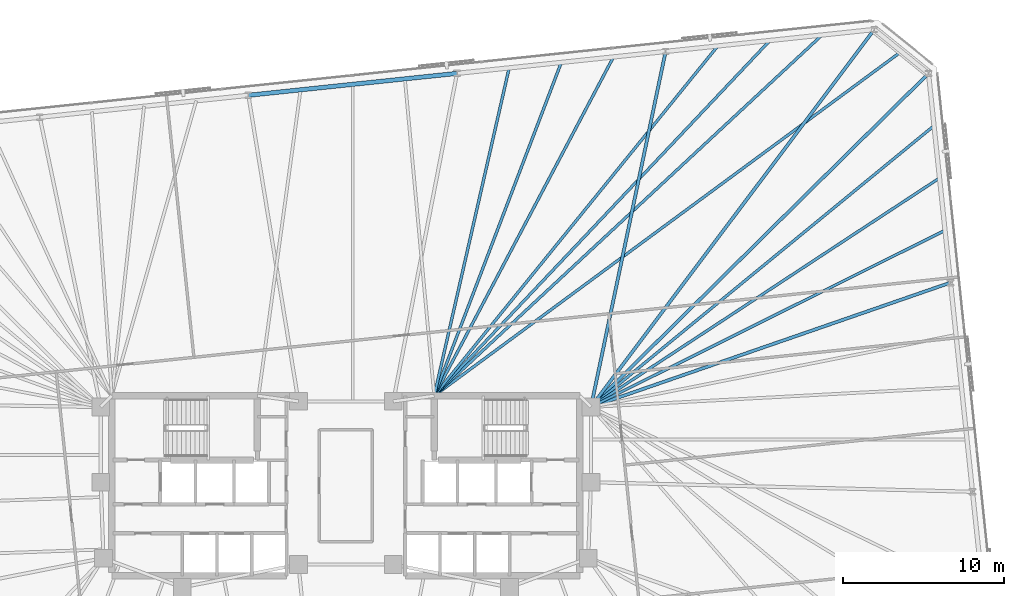
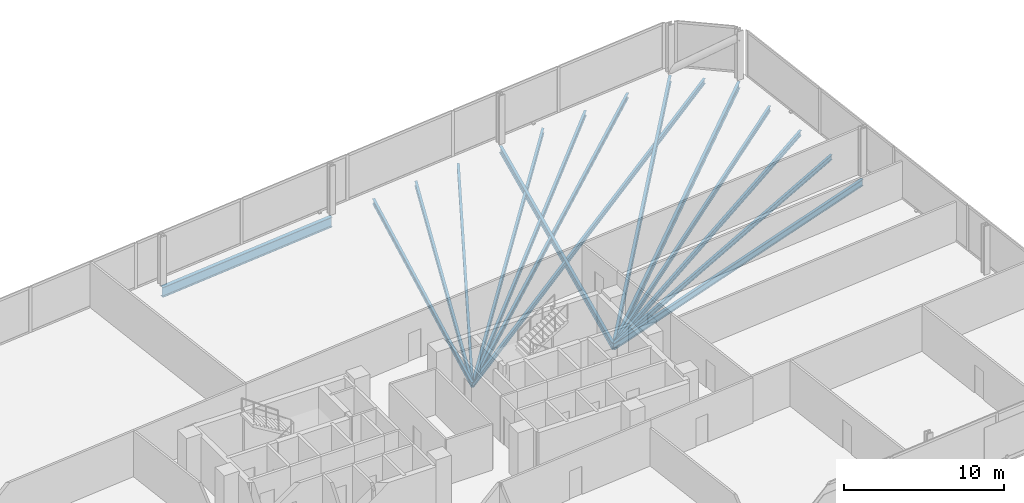
# One storey, part 10 of 18: 15 beams.
"""IFC4 building model written with IfcOpenShell, lengths in metres."""

from ifc_helpers import new_model, si_unit, direction, frame, origin, origin_2d, place, context, subcontext, project, spatial, i_section, extrude, material, material_profile, profile_set, type_object, element, save


model = new_model("IFC4")

# Units and contexts
model_context = context("Model", 3, precision=1e-05, world=origin(), true_north=direction((0.0, 1.0)))
body_context = subcontext(model_context, "Body", "Model", "MODEL_VIEW")
ifc_project = project(units=[si_unit("LENGTHUNIT", "METRE"), si_unit("AREAUNIT", "SQUARE_METRE"), si_unit("VOLUMEUNIT", "CUBIC_METRE"), si_unit("PLANEANGLEUNIT", "RADIAN"), si_unit("MASSUNIT", "GRAM", prefix="KILO")], contexts=[model_context])

# Site, building, storey
site_placement = place(None, origin())
site = spatial("IfcSite", under=ifc_project, at=site_placement, CompositionType="ELEMENT")
building_placement = place(site_placement, origin())
building = spatial("IfcBuilding", under=site, at=building_placement, Name="Menara Jurai Vektor", CompositionType="ELEMENT")
storey_placement = place(building_placement, frame((0.0, 0.0, 124.39990234375)))
storey = spatial("IfcBuildingStorey", under=building, at=storey_placement, Name="L31", CompositionType="ELEMENT", Elevation=124.39990234375)

# Beams
ifc_material_1 = material(Name="Steel S355", Category="steel")
ifc_material_profile_1 = material_profile(ifc_material_1, i_section(OverallWidth=0.199951171875, OverallDepth=0.5, WebThickness=0.011962890625, FlangeThickness=0.02001953125, at=origin_2d()), Name="PG 500x200x96")
ifc_profile_set_1 = profile_set([ifc_material_profile_1], Name="Steel S355")
beam_type_1 = type_object("IfcBeamType", Name="STR-BM-500", PredefinedType="BEAM", material=ifc_profile_set_1)
beam_1_placement = place(storey_placement, frame((37.62060546875, 12.638427734375, -0.474853515625), z_axis=(-0.945053249867, -0.326916434148, 0.0), x_axis=(0.326916434148, -0.945053249867, 0.0)))
element("IfcBeam", 1, at=beam_1_placement, inside=storey, type_object=beam_type_1, Name="Radial Floor Girder L31-E3", PredefinedType="BEAM", context=body_context, shape_type="SweptSolid", body=[
    extrude(i_section(OverallWidth=0.199951171875, OverallDepth=0.5, WebThickness=0.011962890625, FlangeThickness=0.02001953125, at=origin_2d()), origin(), (0.0, 0.0, 1.0), 23.671142578125),
])
beam_2_placement = place(storey_placement, frame((36.252685546875, 25.652099609375, -0.474853515625), z_axis=(-0.711335927547, -0.702852188004, 0.0), x_axis=(0.702852188004, -0.711335927547, 0.0)))
element("IfcBeam", 2, at=beam_2_placement, inside=storey, type_object=beam_type_1, Name="Radial Floor Girder L31-E4", PredefinedType="BEAM", context=body_context, shape_type="SweptSolid", body=[
    extrude(i_section(OverallWidth=0.199951171875, OverallDepth=0.5, WebThickness=0.011962890625, FlangeThickness=0.02001953125, at=origin_2d()), origin(), (0.0, 0.0, 1.0), 29.525634765625),
])
beam_3_placement = place(storey_placement, frame((32.876220703125, 28.38623046875, -0.474853515625), z_axis=(-0.600250057552, -0.799812395758, 0.0), x_axis=(0.799812395758, -0.600250057552, 0.0)))
element("IfcBeam", 3, at=beam_3_placement, inside=storey, type_object=beam_type_1, Name="Radial Floor Girder L31-N1", PredefinedType="BEAM", context=body_context, shape_type="SweptSolid", body=[
    extrude(i_section(OverallWidth=0.199951171875, OverallDepth=0.5, WebThickness=0.011962890625, FlangeThickness=0.02001953125, at=origin_2d()), origin(), (0.0, 0.0, 1.0), 29.36474609375),
])
beam_4_placement = place(storey_placement, frame((19.896728515625, 27.02197265625, -0.474853515625), z_axis=(-0.205563576063, -0.978643763683, 0.0), x_axis=(0.978643763683, -0.205563576063, 0.0)))
element("IfcBeam", 4, at=beam_4_placement, inside=storey, type_object=beam_type_1, Name="Radial Floor Girder L31-N2", PredefinedType="BEAM", context=body_context, shape_type="SweptSolid", body=[
    extrude(i_section(OverallWidth=0.199951171875, OverallDepth=0.5, WebThickness=0.011962890625, FlangeThickness=0.02001953125, at=origin_2d()), origin(), (0.0, 0.0, 1.0), 22.604736328125),
])
ifc_material_profile_2 = material_profile(ifc_material_1, i_section(OverallWidth=0.175048828125, OverallDepth=0.3798828125, WebThickness=0.010009765625, FlangeThickness=0.014892578125, at=origin_2d()), Name="PG 380x175x58")
ifc_profile_set_2 = profile_set([ifc_material_profile_2], Name="Steel S355")
beam_type_2 = type_object("IfcBeamType", Name="STR-JS-380", PredefinedType="JOIST", material=ifc_profile_set_2)
beam_5_placement = place(storey_placement, frame((37.278564453125, 15.891845703125, -0.414794921875), z_axis=(-0.894789854106, -0.446487532849, 0.0), x_axis=(0.446487532849, -0.894789854106, 0.0)))
element("IfcBeam", 5, at=beam_5_placement, inside=storey, type_object=beam_type_2, Name="Radial Secondary Floor Joist L31-JS16", PredefinedType="JOIST", context=body_context, shape_type="SweptSolid", body=[
    extrude(i_section(OverallWidth=0.175048828125, OverallDepth=0.3798828125, WebThickness=0.010009765625, FlangeThickness=0.014892578125, at=origin_2d()), origin(), (0.0, 0.0, 1.0), 24.61865234375),
])
beam_6_placement = place(storey_placement, frame((36.936767578125, 19.145263671875, -0.414794921875), z_axis=(-0.835810585743, -0.549017909326, 0.0), x_axis=(0.549017909326, -0.835810585743, 0.0)))
element("IfcBeam", 6, at=beam_6_placement, inside=storey, type_object=beam_type_2, Name="Radial Secondary Floor Joist L31-JS17", PredefinedType="JOIST", context=body_context, shape_type="SweptSolid", body=[
    extrude(i_section(OverallWidth=0.175048828125, OverallDepth=0.3798828125, WebThickness=0.010009765625, FlangeThickness=0.014892578125, at=origin_2d()), origin(), (0.0, 0.0, 1.0), 25.947021484375),
])
beam_7_placement = place(storey_placement, frame((36.5947265625, 22.398681640625, -0.414794921875), z_axis=(-0.773337004811, -0.63399517111, 0.0), x_axis=(0.63399517111, -0.773337004811, 0.0)))
element("IfcBeam", 7, at=beam_7_placement, inside=storey, type_object=beam_type_2, Name="Radial Secondary Floor Joist L31-JS18", PredefinedType="JOIST", context=body_context, shape_type="SweptSolid", body=[
    extrude(i_section(OverallWidth=0.175048828125, OverallDepth=0.3798828125, WebThickness=0.010009765625, FlangeThickness=0.014892578125, at=origin_2d()), origin(), (0.0, 0.0, 1.0), 27.600830078125),
])
beam_8_placement = place(storey_placement, frame((34.564453125, 27.01904296875, -0.414794921875), z_axis=(-0.805015724179, -0.593253473504, 0.0), x_axis=(0.593253473504, -0.805015724179, 0.0)))
element("IfcBeam", 8, at=beam_8_placement, inside=storey, type_object=beam_type_2, Name="Radial Secondary Floor Joist L31-JS19", PredefinedType="JOIST", context=body_context, shape_type="SweptSolid", body=[
    extrude(i_section(OverallWidth=0.175048828125, OverallDepth=0.3798828125, WebThickness=0.010009765625, FlangeThickness=0.014892578125, at=origin_2d()), origin(), (0.0, 0.0, 1.0), 36.104248046875),
])
beam_9_placement = place(storey_placement, frame((29.63134765625, 28.045166015625, -0.414794921875), z_axis=(-0.732227546694, -0.681060070671, 0.0), x_axis=(0.681060070671, -0.732227546694, 0.0)))
element("IfcBeam", 9, at=beam_9_placement, inside=storey, type_object=beam_type_2, Name="Radial Secondary Floor Joist L31-JS20", PredefinedType="JOIST", context=body_context, shape_type="SweptSolid", body=[
    extrude(i_section(OverallWidth=0.175048828125, OverallDepth=0.3798828125, WebThickness=0.010009765625, FlangeThickness=0.014892578125, at=origin_2d()), origin(), (0.0, 0.0, 1.0), 32.9560546875),
])
beam_10_placement = place(storey_placement, frame((26.386474609375, 27.7041015625, -0.414794921875), z_axis=(-0.686805497462, -0.726841254096, 0.0), x_axis=(0.726841254096, -0.686805497462, 0.0)))
element("IfcBeam", 10, at=beam_10_placement, inside=storey, type_object=beam_type_2, Name="Radial Secondary Floor Joist L31-JS21", PredefinedType="JOIST", context=body_context, shape_type="SweptSolid", body=[
    extrude(i_section(OverallWidth=0.175048828125, OverallDepth=0.3798828125, WebThickness=0.010009765625, FlangeThickness=0.014892578125, at=origin_2d()), origin(), (0.0, 0.0, 1.0), 30.4111328125),
])
beam_11_placement = place(storey_placement, frame((23.1416015625, 27.363037109375, -0.414794921875), z_axis=(-0.629715269624, -0.776826028917, 0.0), x_axis=(0.776826028917, -0.629715269624, 0.0)))
element("IfcBeam", 11, at=beam_11_placement, inside=storey, type_object=beam_type_2, Name="Radial Secondary Floor Joist L31-JS22", PredefinedType="JOIST", context=body_context, shape_type="SweptSolid", body=[
    extrude(i_section(OverallWidth=0.175048828125, OverallDepth=0.3798828125, WebThickness=0.010009765625, FlangeThickness=0.014892578125, at=origin_2d()), origin(), (0.0, 0.0, 1.0), 28.01513671875),
])
beam_12_placement = place(storey_placement, frame((16.651611328125, 26.680908203125, -0.414794921875), z_axis=(-0.467598899237, -0.883940761268, 0.0), x_axis=(0.883940761268, -0.467598899237, 0.0)))
element("IfcBeam", 12, at=beam_12_placement, inside=storey, type_object=beam_type_2, Name="Radial Secondary Floor Joist L31-JS23", PredefinedType="JOIST", context=body_context, shape_type="SweptSolid", body=[
    extrude(i_section(OverallWidth=0.175048828125, OverallDepth=0.3798828125, WebThickness=0.010009765625, FlangeThickness=0.014892578125, at=origin_2d()), origin(), (0.0, 0.0, 1.0), 23.8486328125),
])
beam_13_placement = place(storey_placement, frame((13.40673828125, 26.33984375, -0.414794921875), z_axis=(-0.3562267616, -0.934399536772, 0.0), x_axis=(0.934399536772, -0.3562267616, 0.0)))
element("IfcBeam", 13, at=beam_13_placement, inside=storey, type_object=beam_type_2, Name="Radial Secondary Floor Joist L31-JS24", PredefinedType="JOIST", context=body_context, shape_type="SweptSolid", body=[
    extrude(i_section(OverallWidth=0.175048828125, OverallDepth=0.3798828125, WebThickness=0.010009765625, FlangeThickness=0.014892578125, at=origin_2d()), origin(), (0.0, 0.0, 1.0), 22.19580078125),
])
beam_14_placement = place(storey_placement, frame((10.161865234375, 25.998779296875, -0.414794921875), z_axis=(-0.222793437271, -0.974865675008, 0.0), x_axis=(0.974865675008, -0.222793437271, 0.0)))
element("IfcBeam", 14, at=beam_14_placement, inside=storey, type_object=beam_type_2, Name="Radial Secondary Floor Joist L31-JS25", PredefinedType="JOIST", context=body_context, shape_type="SweptSolid", body=[
    extrude(i_section(OverallWidth=0.175048828125, OverallDepth=0.3798828125, WebThickness=0.010009765625, FlangeThickness=0.014892578125, at=origin_2d()), origin(), (0.0, 0.0, 1.0), 20.924560546875),
])
ifc_material_2 = material(Name="Steel S460", Category="steel")
ifc_material_profile_3 = material_profile(ifc_material_2, i_section(OverallWidth=0.26806640625, OverallDepth=0.77001953125, WebThickness=0.01611328125, FlangeThickness=0.02490234375, FilletRadius=0.01708984375, at=origin_2d()), Name="UKB 762x267x197")
ifc_profile_set_3 = profile_set([ifc_material_profile_3], Name="Steel S460")
beam_type_3 = type_object("IfcBeamType", Name="STR-SP-762", PredefinedType="SPANDREL", material=ifc_profile_set_3)
beam_15_placement = place(storey_placement, frame((6.9169921875, 25.65771484375, -0.60986328125), z_axis=(-0.994521431679, -0.104532874882, 0.0), x_axis=(0.104532874882, -0.994521431679, 0.0)))
element("IfcBeam", 15, at=beam_15_placement, inside=storey, type_object=beam_type_3, Name="Exoskeleton Spandrel Beam L31-13", PredefinedType="SPANDREL", context=body_context, shape_type="SweptSolid", body=[
    extrude(i_section(OverallWidth=0.26806640625, OverallDepth=0.77001953125, WebThickness=0.01611328125, FlangeThickness=0.02490234375, FilletRadius=0.01708984375, at=origin_2d()), origin(), (0.0, 0.0, 1.0), 13.051025390625),
])

save(model, "model.ifc")
